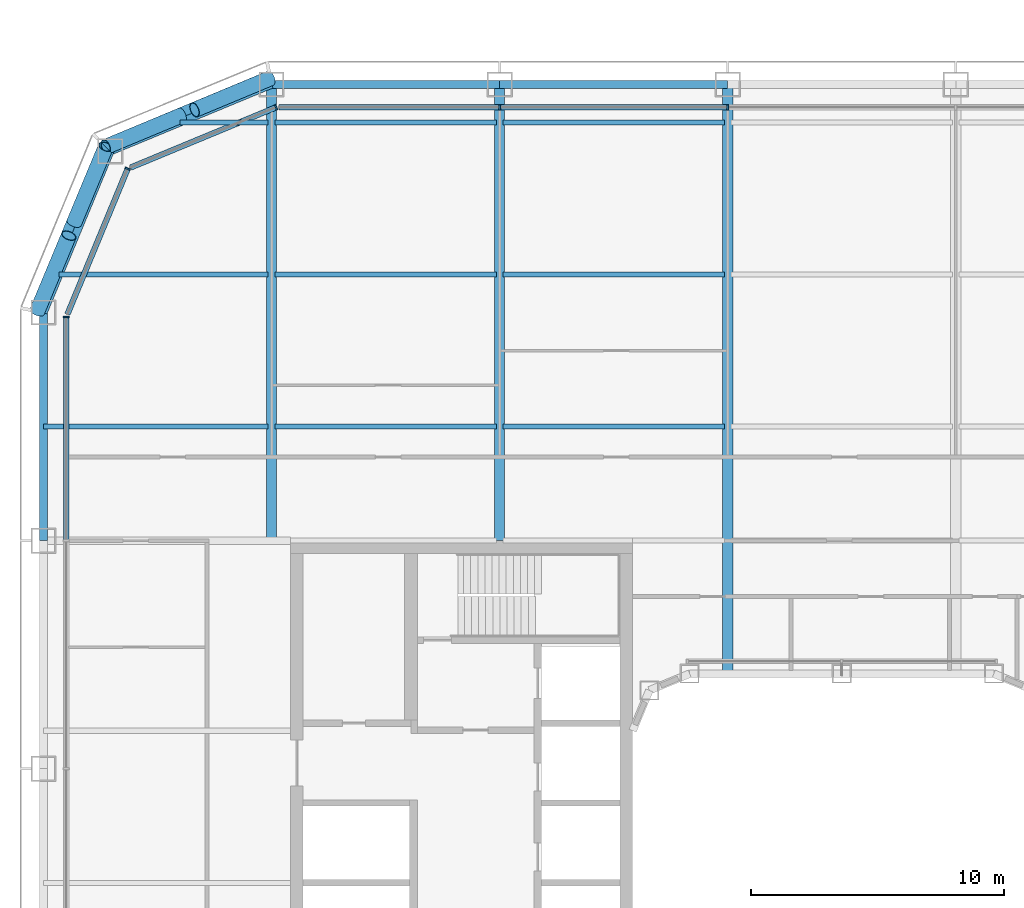
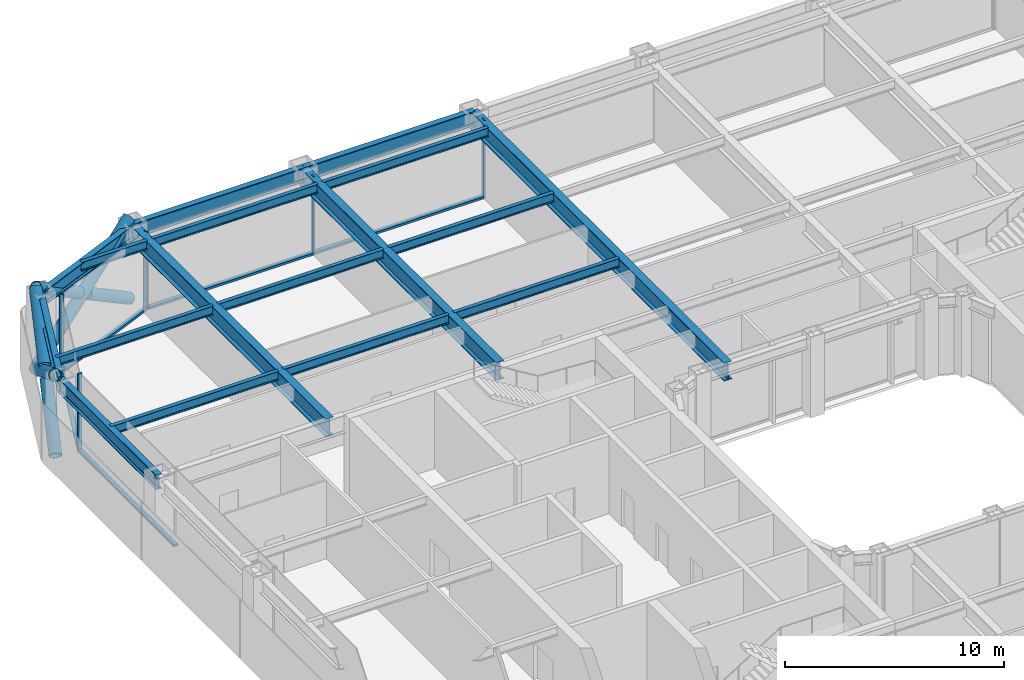
# One storey, part 7 of 30: 17 beams, 16 members, 4 elements without a shape of their own.
"""IFC4 building model written with IfcOpenShell, lengths in metres."""

from ifc_helpers import new_model, si_unit, direction, frame, origin, origin_2d, place, context, subcontext, project, spatial, rectangle, hollow_circle, i_section, extrude, material, layer, layer_set, material_profile, profile_set, type_object, element, aggregate, save


model = new_model("IFC4")

# Units and contexts
model_context = context("Model", 3, precision=1e-05, world=origin(), true_north=direction((0.0, 1.0)))
body_context = subcontext(model_context, "Body", "Model", "MODEL_VIEW")
ifc_project = project(units=[si_unit("LENGTHUNIT", "METRE"), si_unit("AREAUNIT", "SQUARE_METRE"), si_unit("VOLUMEUNIT", "CUBIC_METRE"), si_unit("PLANEANGLEUNIT", "RADIAN"), si_unit("MASSUNIT", "GRAM", prefix="KILO")], contexts=[model_context])

# Site, building, storey
site_placement = place(None, origin())
site = spatial("IfcSite", under=ifc_project, at=site_placement, CompositionType="ELEMENT")
building_placement = place(site_placement, origin())
building = spatial("IfcBuilding", under=site, at=building_placement, Name="Siwar Civic Tower", CompositionType="ELEMENT")
storey_placement = place(building_placement, frame((0.0, 0.0, 80.699951171875)))
storey = spatial("IfcBuildingStorey", under=building, at=storey_placement, Name="L17", CompositionType="ELEMENT", Elevation=80.699951171875)

# Curtain wall, members
ifc_material_1 = material(Name="Aluminium and glass", Category="aluminium")
ifc_layer_1 = layer(ifc_material_1, 0.219970703125)
ifc_layer_set_1 = layer_set([ifc_layer_1], Name="Aluminium and glass")
curtain_wall_type_1 = type_object("IfcCurtainWallType", Name="ENV-CW-A", PredefinedType="NOTDEFINED", material=ifc_layer_set_1)
curtain_wall_1_placement = place(storey_placement, origin())
curtain_wall_1 = element("IfcCurtainWall", 1, at=curtain_wall_1_placement, inside=storey, type_object=curtain_wall_type_1, Name="Curtain wall A N", PredefinedType="NOTDEFINED")
ifc_material_2 = material(Name="Aluminium 6063-T6", Category="aluminium")
ifc_material_profile_1 = material_profile(ifc_material_2, rectangle(XDim=0.219970703125, YDim=0.070068359375, at=origin_2d()), Name="AL 220x70")
ifc_profile_set_1 = profile_set([ifc_material_profile_1], Name="Aluminium 6063-T6")
member_type_1 = type_object("IfcMemberType", Name="ENV-MULLION-A", PredefinedType="MULLION", material=ifc_profile_set_1)
member_1_placement = place(storey_placement, frame((-4.5, 30.60009765625, 0.0), z_axis=(0.0, 0.0, 1.0), x_axis=(0.0, -1.0, 0.0)))
member_1 = element("IfcMember", 2, at=member_1_placement, type_object=member_type_1, Name="Mullion A N 4", PredefinedType="MULLION", context=body_context, shape_type="SweptSolid", body=[
    extrude(rectangle(XDim=0.219970703125, YDim=0.070068359375, at=origin_2d()), origin(), (0.0, 0.0, 1.0), 4.35009765625),
])
member_2_placement = place(storey_placement, frame((-13.5, 30.60009765625, 0.0), z_axis=(0.0, 0.0, 1.0), x_axis=(0.0, -1.0, 0.0)))
member_2 = element("IfcMember", 3, at=member_2_placement, type_object=member_type_1, Name="Mullion A N 5", PredefinedType="MULLION", context=body_context, shape_type="SweptSolid", body=[
    extrude(rectangle(XDim=0.219970703125, YDim=0.070068359375, at=origin_2d()), origin(), (0.0, 0.0, 1.0), 4.35009765625),
])

# Curtain wall, member
ifc_material_3 = material(Name="Aluminium clad insulated panel", Category="aluminium")
ifc_layer_2 = layer(ifc_material_3, 0.219970703125)
ifc_layer_set_2 = layer_set([ifc_layer_2], Name="Aluminium clad insulated panel")
curtain_wall_type_2 = type_object("IfcCurtainWallType", Name="ENV-CW-AX", PredefinedType="NOTDEFINED", material=ifc_layer_set_2)
curtain_wall_2_placement = place(storey_placement, origin())
curtain_wall_2 = element("IfcCurtainWall", 4, at=curtain_wall_2_placement, inside=storey, type_object=curtain_wall_type_2, Name="Curtain wall A NW1", PredefinedType="NOTDEFINED")
member_3_placement = place(storey_placement, frame((-22.321044921875, 30.60009765625, 0.0), z_axis=(0.0, 0.0, 1.0), x_axis=(0.382683432365, -0.923879532511, 0.0)))
member_3 = element("IfcMember", 5, at=member_3_placement, type_object=member_type_1, Name="Mullion A NW1 1", PredefinedType="MULLION", context=body_context, shape_type="SweptSolid", body=[
    extrude(rectangle(XDim=0.219970703125, YDim=0.070068359375, at=origin_2d()), origin(), (0.0, 0.0, 1.0), 4.35009765625),
])

curtain_wall_3_placement = place(storey_placement, origin())
curtain_wall_3 = element("IfcCurtainWall", 6, at=curtain_wall_3_placement, inside=storey, type_object=curtain_wall_type_2, Name="Curtain wall A NW2", PredefinedType="NOTDEFINED")
member_4_placement = place(storey_placement, frame((-28.175048828125, 28.175048828125, 0.0), z_axis=(0.0, 0.0, 1.0), x_axis=(0.923879532511, -0.382683432365, 0.0)))
member_4 = element("IfcMember", 7, at=member_4_placement, type_object=member_type_1, Name="Mullion A NW2 1", PredefinedType="MULLION", context=body_context, shape_type="SweptSolid", body=[
    extrude(rectangle(XDim=0.219970703125, YDim=0.070068359375, at=origin_2d()), origin(), (0.0, 0.0, 1.0), 4.35009765625),
])

curtain_wall_4_placement = place(storey_placement, origin())
curtain_wall_4 = element("IfcCurtainWall", 8, at=curtain_wall_4_placement, inside=storey, type_object=curtain_wall_type_1, Name="Curtain wall A W", PredefinedType="NOTDEFINED")
member_5_placement = place(storey_placement, frame((-30.60009765625, 22.321044921875, 0.0), z_axis=(0.0, 0.0, 1.0), x_axis=(1.0, 0.0, 0.0)))
member_5 = element("IfcMember", 9, at=member_5_placement, type_object=member_type_1, Name="Mullion A W 1", PredefinedType="MULLION", context=body_context, shape_type="SweptSolid", body=[
    extrude(rectangle(XDim=0.219970703125, YDim=0.070068359375, at=origin_2d()), origin(), (0.0, 0.0, 1.0), 4.35009765625),
])

# Member
ifc_material_4 = material(Name="Aluminium 6063-T6", Category="aluminium")
ifc_material_profile_2 = material_profile(ifc_material_4, rectangle(XDim=0.219970703125, YDim=0.1201171875, at=origin_2d()), Name="AL 220x120")
ifc_profile_set_2 = profile_set([ifc_material_profile_2], Name="Aluminium 6063-T6")
member_type_2 = type_object("IfcMemberType", Name="ENV-TRANSOM-A", PredefinedType="USERDEFINED", material=ifc_profile_set_2)
member_6_placement = place(storey_placement, frame((-4.534912109375, 30.60009765625, 0.06005859375), z_axis=(-1.0, 0.0, 0.0), x_axis=(0.0, -1.0, 0.0)))
member_6 = element("IfcMember", 10, at=member_6_placement, type_object=member_type_2, Name="Transom A N 4", ObjectType="TRANSOM", PredefinedType="USERDEFINED", context=body_context, shape_type="SweptSolid", body=[
    extrude(rectangle(XDim=0.219970703125, YDim=0.1201171875, at=origin_2d()), origin(), (0.0, 0.0, 1.0), 8.93017578125),
])

member_7_placement = place(storey_placement, frame((-13.534912109375, 30.60009765625, 0.06005859375), z_axis=(-1.0, 0.0, 0.0), x_axis=(0.0, -1.0, 0.0)))
member_7 = element("IfcMember", 11, at=member_7_placement, type_object=member_type_2, Name="Transom A N 5", ObjectType="TRANSOM", PredefinedType="USERDEFINED", context=body_context, shape_type="SweptSolid", body=[
    extrude(rectangle(XDim=0.219970703125, YDim=0.1201171875, at=origin_2d()), origin(), (0.0, 0.0, 1.0), 8.66357421875),
])

aggregate(curtain_wall_1, [member_1, member_2, member_6, member_7])

member_8_placement = place(storey_placement, frame((-22.353271484375, 30.586669921875, 0.06005859375), z_axis=(-0.923873326341, -0.382698415042, 0.0), x_axis=(0.382698415042, -0.923873326341, 0.0)))
member_8 = element("IfcMember", 12, at=member_8_placement, type_object=member_type_2, Name="Transom A NW1 1", ObjectType="TRANSOM", PredefinedType="USERDEFINED", context=body_context, shape_type="SweptSolid", body=[
    extrude(rectangle(XDim=0.219970703125, YDim=0.1201171875, at=origin_2d()), origin(), (0.0, 0.0, 1.0), 6.17919921875),
])

aggregate(curtain_wall_2, [member_3, member_8])

member_9_placement = place(storey_placement, frame((-28.1884765625, 28.142822265625, 0.06005859375), z_axis=(-0.382698415042, -0.923873326341, 0.0), x_axis=(0.923873326341, -0.382698415042, 0.0)))
member_9 = element("IfcMember", 13, at=member_9_placement, type_object=member_type_2, Name="Transom A NW2 1", ObjectType="TRANSOM", PredefinedType="USERDEFINED", context=body_context, shape_type="SweptSolid", body=[
    extrude(rectangle(XDim=0.219970703125, YDim=0.1201171875, at=origin_2d()), origin(), (0.0, 0.0, 1.0), 6.17919921875),
])

aggregate(curtain_wall_3, [member_4, member_9])

member_10_placement = place(storey_placement, frame((-30.60009765625, 22.285888671875, 0.06005859375), z_axis=(0.0, -1.0, 0.0), x_axis=(1.0, 0.0, 0.0)))
member_10 = element("IfcMember", 14, at=member_10_placement, type_object=member_type_2, Name="Transom A W 1", ObjectType="TRANSOM", PredefinedType="USERDEFINED", context=body_context, shape_type="SweptSolid", body=[
    extrude(rectangle(XDim=0.219970703125, YDim=0.1201171875, at=origin_2d()), origin(), (0.0, 0.0, 1.0), 8.7509765625),
])

aggregate(curtain_wall_4, [member_5, member_10])

# Members
ifc_material_5 = material(Name="Steel S355", Category="steel")
ifc_material_profile_3 = material_profile(ifc_material_5, hollow_circle(Radius=0.304931640625, WallThickness=0.030029296875, at=origin_2d()), Name="CHS610x30")
ifc_profile_set_3 = profile_set([ifc_material_profile_3], Name="Steel S355")
member_type_3 = type_object("IfcMemberType", Name="STR-BR-CHS610x30", PredefinedType="BRACE", material=ifc_profile_set_3)
member_11_placement = place(storey_placement, frame((-29.040771484375, 29.040771484375, 0.0), z_axis=(-0.323905527954, -0.777554562952, 0.538975055633), x_axis=(0.923108759191, -0.384538969033, 0.0)))
element("IfcMember", 15, at=member_11_placement, inside=storey, type_object=member_type_3, Name="L17/brc/ANW1-16-0-1", PredefinedType="BRACE", context=body_context, shape_type="SweptSolid", body=[
    extrude(hollow_circle(Radius=0.304931640625, WallThickness=0.030029296875, at=origin_2d()), origin(), (0.0, 0.0, 1.0), 8.34912109375),
])
member_12_placement = place(storey_placement, frame((-31.7451171875, 22.548828125, 0.0), z_axis=(0.323882123145, 0.777533059308, 0.539020140617), x_axis=(-0.923114847559, 0.384524353215, 0.0)))
element("IfcMember", 16, at=member_12_placement, inside=storey, type_object=member_type_3, Name="L17/brc/ANW1-16-0-2", PredefinedType="BRACE", context=body_context, shape_type="SweptSolid", body=[
    extrude(hollow_circle(Radius=0.304931640625, WallThickness=0.030029296875, at=origin_2d()), origin(), (0.0, 0.0, 1.0), 3.843505859375),
])
member_13_placement = place(storey_placement, frame((-30.285888671875, 26.052001953125, 2.428466796875), z_axis=(0.323934068367, 0.777568797048, 0.538937366685), x_axis=(-0.923099230484, 0.384561842466, 0.0)))
element("IfcMember", 17, at=member_13_placement, inside=storey, type_object=member_type_3, Name="L17/brc/ANW1-16-0-3", PredefinedType="BRACE", context=body_context, shape_type="SweptSolid", body=[
    extrude(hollow_circle(Radius=0.304931640625, WallThickness=0.030029296875, at=origin_2d()), origin(), (0.0, 0.0, 1.0), 3.84375),
])
member_14_placement = place(storey_placement, frame((-29.040771484375, 29.040771484375, 0.0), z_axis=(0.777554562952, 0.323905527954, 0.538975055633), x_axis=(-0.384538969033, 0.923108759191, 0.0)))
element("IfcMember", 18, at=member_14_placement, inside=storey, type_object=member_type_3, Name="L17/brc/ANW1-16-0-0", PredefinedType="BRACE", context=body_context, shape_type="SweptSolid", body=[
    extrude(hollow_circle(Radius=0.304931640625, WallThickness=0.030029296875, at=origin_2d()), origin(), (0.0, 0.0, 1.0), 8.34912109375),
])
member_15_placement = place(storey_placement, frame((-22.548828125, 31.7451171875, 0.0), z_axis=(-0.777533059308, -0.323882123145, 0.539020140617), x_axis=(0.384524353215, -0.923114847559, 0.0)))
element("IfcMember", 19, at=member_15_placement, inside=storey, type_object=member_type_3, Name="L17/brc/ANW1-16-0-4", PredefinedType="BRACE", context=body_context, shape_type="SweptSolid", body=[
    extrude(hollow_circle(Radius=0.304931640625, WallThickness=0.030029296875, at=origin_2d()), origin(), (0.0, 0.0, 1.0), 3.843505859375),
])
member_16_placement = place(storey_placement, frame((-26.052001953125, 30.285888671875, 2.428466796875), z_axis=(-0.777568797048, -0.323934068367, 0.538937366685), x_axis=(0.384561842466, -0.923099230484, 0.0)))
element("IfcMember", 20, at=member_16_placement, inside=storey, type_object=member_type_3, Name="L17/brc/ANW1-16-0-5", PredefinedType="BRACE", context=body_context, shape_type="SweptSolid", body=[
    extrude(hollow_circle(Radius=0.304931640625, WallThickness=0.030029296875, at=origin_2d()), origin(), (0.0, 0.0, 1.0), 3.84375),
])

# Beams
ifc_material_6 = material(Name="Steel S355", Category="steel")
ifc_material_profile_4 = material_profile(ifc_material_6, i_section(OverallWidth=0.199951171875, OverallDepth=0.5, WebThickness=0.01025390625, FlangeThickness=0.01611328125, FilletRadius=0.02099609375, at=origin_2d()), Name="IPE500")
ifc_profile_set_4 = profile_set([ifc_material_profile_4], Name="Steel S355")
beam_type_1 = type_object("IfcBeamType", Name="STR-FB-IPE500", PredefinedType="JOIST", material=ifc_profile_set_4)
beam_1_placement = place(storey_placement, frame((-31.5, 18.0, 4.10009765625), z_axis=(1.0, 0.0, 0.0), x_axis=(0.0, 1.0, 0.0)))
element("IfcBeam", 21, at=beam_1_placement, inside=storey, type_object=beam_type_1, Name="L17/bm/F046", PredefinedType="JOIST", context=body_context, shape_type="SweptSolid", body=[
    extrude(i_section(OverallWidth=0.199951171875, OverallDepth=0.5, WebThickness=0.01025390625, FlangeThickness=0.01611328125, FilletRadius=0.02099609375, at=origin_2d()), origin(), (0.0, 0.0, 1.0), 8.8701171875),
])
for number, where, z_axis, x_axis, name in (
    (22, (-22.3701171875, 18.0, 4.10009765625), (1.0, 0.0, 0.0), (0.0, 1.0, 0.0), "L17/bm/F047"),
    (23, (-13.3701171875, 18.0, 4.10009765625), (1.0, 0.0, 0.0), (0.0, 1.0, 0.0), "L17/bm/F048"),
):
    element("IfcBeam", number, at=place(storey_placement, frame(where, z_axis=z_axis, x_axis=x_axis)), inside=storey, type_object=beam_type_1, Name=name, PredefinedType="JOIST", context=body_context, shape_type="SweptSolid", body=[
        extrude(i_section(OverallWidth=0.199951171875, OverallDepth=0.5, WebThickness=0.01025390625, FlangeThickness=0.01611328125, FilletRadius=0.02099609375, at=origin_2d()), origin(), (0.0, 0.0, 1.0), 8.740234375),
    ])
beam_2_placement = place(storey_placement, frame((-30.878662109375, 24.0, 4.10009765625), z_axis=(1.0, 0.0, 0.0), x_axis=(0.0, 1.0, 0.0)))
element("IfcBeam", 24, at=beam_2_placement, inside=storey, type_object=beam_type_1, Name="L17/bm/F053", PredefinedType="JOIST", context=body_context, shape_type="SweptSolid", body=[
    extrude(i_section(OverallWidth=0.199951171875, OverallDepth=0.5, WebThickness=0.01025390625, FlangeThickness=0.01611328125, FilletRadius=0.02099609375, at=origin_2d()), origin(), (0.0, 0.0, 1.0), 8.248779296875),
])
for number, where, z_axis, x_axis, name in (
    (25, (-22.3701171875, 24.0, 4.10009765625), (1.0, 0.0, 0.0), (0.0, 1.0, 0.0), "L17/bm/F054"),
    (26, (-13.3701171875, 24.0, 4.10009765625), (1.0, 0.0, 0.0), (0.0, 1.0, 0.0), "L17/bm/F055"),
):
    element("IfcBeam", number, at=place(storey_placement, frame(where, z_axis=z_axis, x_axis=x_axis)), inside=storey, type_object=beam_type_1, Name=name, PredefinedType="JOIST", context=body_context, shape_type="SweptSolid", body=[
        extrude(i_section(OverallWidth=0.199951171875, OverallDepth=0.5, WebThickness=0.01025390625, FlangeThickness=0.01611328125, FilletRadius=0.02099609375, at=origin_2d()), origin(), (0.0, 0.0, 1.0), 8.740234375),
    ])
beam_3_placement = place(storey_placement, frame((-26.121337890625, 30.0, 4.10009765625), z_axis=(1.0, 0.0, 0.0), x_axis=(0.0, 1.0, 0.0)))
element("IfcBeam", 27, at=beam_3_placement, inside=storey, type_object=beam_type_1, Name="L17/bm/F060", PredefinedType="JOIST", context=body_context, shape_type="SweptSolid", body=[
    extrude(i_section(OverallWidth=0.199951171875, OverallDepth=0.5, WebThickness=0.01025390625, FlangeThickness=0.01611328125, FilletRadius=0.02099609375, at=origin_2d()), origin(), (0.0, 0.0, 1.0), 3.491455078125),
])
for number, where, z_axis, x_axis, name in (
    (28, (-22.3701171875, 30.0, 4.10009765625), (1.0, 0.0, 0.0), (0.0, 1.0, 0.0), "L17/bm/F061"),
    (29, (-13.3701171875, 30.0, 4.10009765625), (1.0, 0.0, 0.0), (0.0, 1.0, 0.0), "L17/bm/F062"),
):
    element("IfcBeam", number, at=place(storey_placement, frame(where, z_axis=z_axis, x_axis=x_axis)), inside=storey, type_object=beam_type_1, Name=name, PredefinedType="JOIST", context=body_context, shape_type="SweptSolid", body=[
        extrude(i_section(OverallWidth=0.199951171875, OverallDepth=0.5, WebThickness=0.01025390625, FlangeThickness=0.01611328125, FilletRadius=0.02099609375, at=origin_2d()), origin(), (0.0, 0.0, 1.0), 8.740234375),
    ])
ifc_material_7 = material(Name="Steel S355", Category="steel")
ifc_material_profile_5 = material_profile(ifc_material_7, i_section(OverallWidth=0.39990234375, OverallDepth=1.0, WebThickness=0.01611328125, FlangeThickness=0.0400390625, at=origin_2d()), Name="PG1000x400x16x40")
ifc_profile_set_5 = profile_set([ifc_material_profile_5], Name="Steel S355")
beam_type_2 = type_object("IfcBeamType", Name="STR-PG-PG1000x400x16x40", PredefinedType="BEAM", material=ifc_profile_set_5)
for number, where, z_axis, x_axis, name in (
    (30, (-22.5, 13.5, 3.85009765625), (0.0, 1.0, 0.0), (-1.0, 0.0, 0.0), "L17/bm/G02"),
    (31, (-13.5, 13.5, 3.85009765625), (0.0, 1.0, 0.0), (-1.0, 0.0, 0.0), "L17/bm/G04"),
):
    element("IfcBeam", number, at=place(storey_placement, frame(where, z_axis=z_axis, x_axis=x_axis)), inside=storey, type_object=beam_type_2, Name=name, PredefinedType="BEAM", context=body_context, shape_type="SweptSolid", body=[
        extrude(i_section(OverallWidth=0.39990234375, OverallDepth=1.0, WebThickness=0.01611328125, FlangeThickness=0.0400390625, at=origin_2d()), origin(), (0.0, 0.0, 1.0), 18.0),
    ])
beam_4_placement = place(storey_placement, frame((-4.5, 8.25, 3.85009765625), z_axis=(0.0, 1.0, 0.0), x_axis=(-1.0, 0.0, 0.0)))
element("IfcBeam", 32, at=beam_4_placement, inside=storey, type_object=beam_type_2, Name="L17/bm/G06", PredefinedType="BEAM", context=body_context, shape_type="SweptSolid", body=[
    extrude(i_section(OverallWidth=0.39990234375, OverallDepth=1.0, WebThickness=0.01611328125, FlangeThickness=0.0400390625, at=origin_2d()), origin(), (0.0, 0.0, 1.0), 23.25),
])
ifc_material_8 = material(Name="Steel S355", Category="steel")
ifc_material_profile_6 = material_profile(ifc_material_8, i_section(OverallWidth=0.302978515625, OverallDepth=0.81396484375, WebThickness=0.02099609375, FlangeThickness=0.0400390625, FilletRadius=0.030029296875, at=origin_2d()), Name="HEM800")
ifc_profile_set_6 = profile_set([ifc_material_profile_6], Name="Steel S355")
beam_type_3 = type_object("IfcBeamType", Name="STR-SB-HEM800", PredefinedType="BEAM", material=ifc_profile_set_6)
for number, where, z_axis, x_axis, name in (
    (33, (-4.5, 31.5, 3.943115234375), (-1.0, 0.0, 0.0), (0.0, -1.0, 0.0), "L17/bm/SN-3"),
    (34, (-13.5, 31.5, 3.943115234375), (-1.0, 0.0, 0.0), (0.0, -1.0, 0.0), "L17/bm/SN-4"),
):
    element("IfcBeam", number, at=place(storey_placement, frame(where, z_axis=z_axis, x_axis=x_axis)), inside=storey, type_object=beam_type_3, Name=name, PredefinedType="BEAM", context=body_context, shape_type="SweptSolid", body=[
        extrude(i_section(OverallWidth=0.302978515625, OverallDepth=0.81396484375, WebThickness=0.02099609375, FlangeThickness=0.0400390625, FilletRadius=0.030029296875, at=origin_2d()), origin(), (0.0, 0.0, 1.0), 9.0),
    ])
for number, where, z_axis, x_axis, name in (
    (35, (-22.5, 31.5, 3.943115234375), (-0.923883353507, -0.382674207535, 0.0), (0.382674207535, -0.923883353507, 0.0), "L17/bm/SNW1-0"),
    (36, (-28.864013671875, 28.864013671875, 3.943115234375), (-0.382674207535, -0.923883353507, 0.0), (0.923883353507, -0.382674207535, 0.0), "L17/bm/SNW2-0"),
):
    element("IfcBeam", number, at=place(storey_placement, frame(where, z_axis=z_axis, x_axis=x_axis)), inside=storey, type_object=beam_type_3, Name=name, PredefinedType="BEAM", context=body_context, shape_type="SweptSolid", body=[
        extrude(i_section(OverallWidth=0.302978515625, OverallDepth=0.81396484375, WebThickness=0.02099609375, FlangeThickness=0.0400390625, FilletRadius=0.030029296875, at=origin_2d()), origin(), (0.0, 0.0, 1.0), 6.888427734375),
    ])
beam_5_placement = place(storey_placement, frame((-31.5, 22.5, 3.943115234375), z_axis=(0.0, -1.0, 0.0), x_axis=(1.0, 0.0, 0.0)))
element("IfcBeam", 37, at=beam_5_placement, inside=storey, type_object=beam_type_3, Name="L17/bm/SW-0", PredefinedType="BEAM", context=body_context, shape_type="SweptSolid", body=[
    extrude(i_section(OverallWidth=0.302978515625, OverallDepth=0.81396484375, WebThickness=0.02099609375, FlangeThickness=0.0400390625, FilletRadius=0.030029296875, at=origin_2d()), origin(), (0.0, 0.0, 1.0), 9.0),
])

save(model, "model.ifc")
